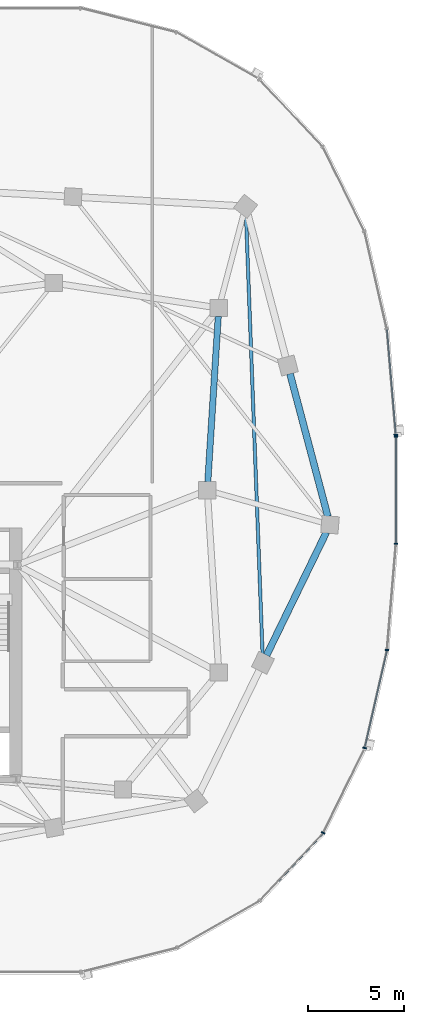
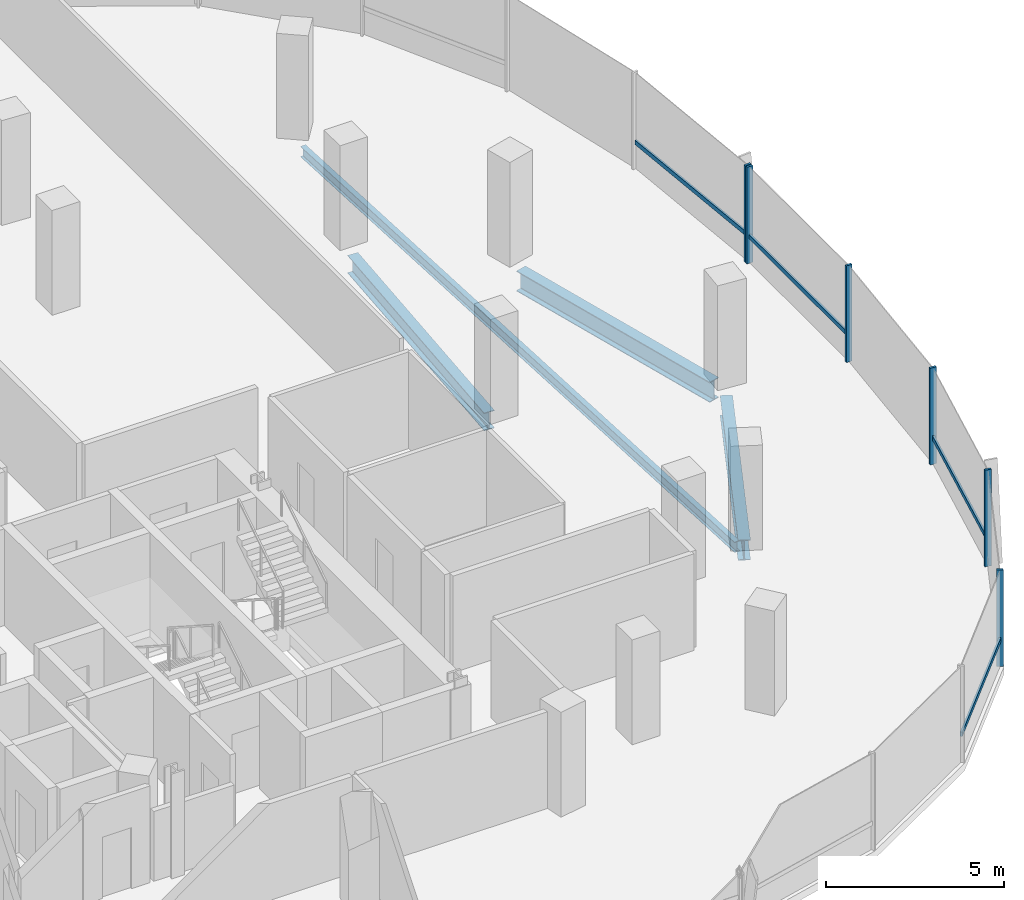
# One storey, part 10 of 24: 10 members, 4 beams, 2 elements without a shape of their own.
"""IFC4 building model written with IfcOpenShell, lengths in metres."""

from ifc_helpers import new_model, si_unit, direction, frame, origin, origin_2d, place, context, subcontext, project, spatial, rectangle, i_section, extrude, material, material_profile, profile_set, type_object, element, aggregate, save


model = new_model("IFC4")

# Units and contexts
model_context = context("Model", 3, precision=1e-05, world=origin(), true_north=direction((0.0, 1.0)))
body_context = subcontext(model_context, "Body", "Model", "MODEL_VIEW")
ifc_project = project(units=[si_unit("LENGTHUNIT", "METRE"), si_unit("AREAUNIT", "SQUARE_METRE"), si_unit("VOLUMEUNIT", "CUBIC_METRE"), si_unit("PLANEANGLEUNIT", "RADIAN"), si_unit("MASSUNIT", "GRAM", prefix="KILO"), si_unit("THERMODYNAMICTEMPERATUREUNIT", "KELVIN"), si_unit("POWERUNIT", "WATT")], contexts=[model_context])

# Site, building, storey
site_placement = place(None, origin())
site = spatial("IfcSite", under=ifc_project, at=site_placement, CompositionType="ELEMENT")
building_placement = place(site_placement, origin())
building = spatial("IfcBuilding", under=site, at=building_placement, Name="Cundina Bronze Exchange", CompositionType="ELEMENT")
storey_placement = place(building_placement, frame((0.0, 0.0, 231.39990234375)))
storey = spatial("IfcBuildingStorey", under=building, at=storey_placement, Name="L61", CompositionType="ELEMENT", Elevation=231.39990234375)

# Beams
ifc_material_1 = material(Name="Steel ASTM A992 Grade 50", Category="steel")
ifc_material_profile_1 = material_profile(ifc_material_1, i_section(OverallWidth=0.172119140625, OverallDepth=0.35791015625, WebThickness=0.0078125, FlangeThickness=0.01318359375, FilletRadius=0.010009765625, at=origin_2d()), Name="W14X38", Category="steel")
ifc_profile_set_1 = profile_set([ifc_material_profile_1], Name="Steel ASTM A992 Grade 50")
beam_type_1 = type_object("IfcBeamType", Name="BM-JST-W14", PredefinedType="JOIST", material=ifc_profile_set_1)
beam_1_placement = place(storey_placement, frame((44.08349609375, -8.562255859375, -0.43896484375), z_axis=(-0.037790216102, 0.999285694667, 0.0), x_axis=(-0.999285694667, -0.037790216102, 0.0)))
element("IfcBeam", 1, at=beam_1_placement, inside=storey, type_object=beam_type_1, Name="L61 Leg E Lobe Floor Joist 07-10", PredefinedType="JOIST", context=body_context, shape_type="SweptSolid", body=[
    extrude(i_section(OverallWidth=0.172119140625, OverallDepth=0.35791015625, WebThickness=0.0078125, FlangeThickness=0.01318359375, FilletRadius=0.010009765625, at=origin_2d()), origin(), (0.0, 0.0, 1.0), 22.94091796875),
])
ifc_material_profile_2 = material_profile(ifc_material_1, i_section(OverallWidth=0.324951171875, OverallDepth=0.615966796875, WebThickness=0.013916015625, FlangeThickness=0.021484375, FilletRadius=0.01611328125, at=origin_2d()), Name="W24X117", Category="steel")
ifc_profile_set_2 = profile_set([ifc_material_profile_2], Name="Steel ASTM A992 Grade 50")
beam_type_2 = type_object("IfcBeamType", Name="BM-RING-W24", PredefinedType="USERDEFINED", material=ifc_profile_set_2)
beam_2_placement = place(storey_placement, frame((41.2275390625, 0.43701171875, -0.56787109375), z_axis=(0.063046519736, 0.998010589297, 0.0), x_axis=(-0.998010589297, 0.063046519736, 0.0)))
element("IfcBeam", 2, at=beam_2_placement, inside=storey, type_object=beam_type_2, Name="L61 E Inner Structural Ring Girder 04", ObjectType="GIRDER", PredefinedType="USERDEFINED", context=body_context, shape_type="SweptSolid", body=[
    extrude(i_section(OverallWidth=0.324951171875, OverallDepth=0.615966796875, WebThickness=0.013916015625, FlangeThickness=0.021484375, FilletRadius=0.01611328125, at=origin_2d()), origin(), (0.0, 0.0, 1.0), 8.64306640625),
])
ifc_material_profile_3 = material_profile(ifc_material_1, i_section(OverallWidth=0.35498046875, OverallDepth=0.695068359375, WebThickness=0.015380859375, FlangeThickness=0.02490234375, FilletRadius=0.01806640625, at=origin_2d()), Name="W27X146", Category="steel")
ifc_profile_set_3 = profile_set([ifc_material_profile_3], Name="Steel ASTM A992 Grade 50")
beam_type_3 = type_object("IfcBeamType", Name="BM-RING-W27", PredefinedType="USERDEFINED", material=ifc_profile_set_3)
beam_3_placement = place(storey_placement, frame((44.29150390625, -8.606201171875, -0.607421875), z_axis=(0.437173087764, 0.89937739094, 0.0), x_axis=(-0.89937739094, 0.437173087764, 0.0)))
element("IfcBeam", 3, at=beam_3_placement, inside=storey, type_object=beam_type_3, Name="L61 E Perimeter Ring Girder 07", ObjectType="GIRDER", PredefinedType="USERDEFINED", context=body_context, shape_type="SweptSolid", body=[
    extrude(i_section(OverallWidth=0.35498046875, OverallDepth=0.695068359375, WebThickness=0.015380859375, FlangeThickness=0.02490234375, FilletRadius=0.01806640625, at=origin_2d()), origin(), (0.0, 0.0, 1.0), 7.1298828125),
])
beam_4_placement = place(storey_placement, frame((47.48779296875, -1.376708984375, -0.607421875), z_axis=(-0.256211934474, 0.966620631185, 0.0), x_axis=(-0.966620631185, -0.256211934474, 0.0)))
element("IfcBeam", 4, at=beam_4_placement, inside=storey, type_object=beam_type_3, Name="L61 E Perimeter Ring Girder 08", ObjectType="GIRDER", PredefinedType="USERDEFINED", context=body_context, shape_type="SweptSolid", body=[
    extrude(i_section(OverallWidth=0.35498046875, OverallDepth=0.695068359375, WebThickness=0.015380859375, FlangeThickness=0.02490234375, FilletRadius=0.01806640625, at=origin_2d()), origin(), (0.0, 0.0, 1.0), 7.710693359375),
])

# Curtain wall, member
ifc_material_2 = material(Name="Anodised Bronze Aluminium 6063-T6", Category="aluminium")
curtain_wall_type = type_object("IfcCurtainWallType", Name="CWS-UPP-OFF", PredefinedType="NOTDEFINED", material=ifc_material_2)
curtain_wall_1_placement = place(storey_placement, origin())
curtain_wall_1 = element("IfcCurtainWall", 5, at=curtain_wall_1_placement, inside=storey, type_object=curtain_wall_type, Name="L61 CW-05 Curtain Wall Run CWR-L61-E1", PredefinedType="NOTDEFINED")
ifc_material_profile_4 = material_profile(ifc_material_2, rectangle(XDim=0.070068359375, YDim=0.18994140625, at=origin_2d()), Name="AL70X190", Category="aluminium")
ifc_profile_set_4 = profile_set([ifc_material_profile_4], Name="Anodised Bronze Aluminium 6063-T6")
member_type_1 = type_object("IfcMemberType", Name="CWM-MUL-190", PredefinedType="MULLION", material=ifc_profile_set_4)
member_1_placement = place(storey_placement, frame((51.0302734375, 2.88330078125, 0.0), z_axis=(0.0, 0.0, 1.0), x_axis=(-0.083677843332, 0.99649285925, 0.0)))
member_1 = element("IfcMember", 6, at=member_1_placement, type_object=member_type_1, Name="CW-05 Mullion 1", PredefinedType="MULLION", context=body_context, shape_type="SweptSolid", body=[
    extrude(rectangle(XDim=0.070068359375, YDim=0.18994140625, at=origin_2d()), origin(), (0.0, 0.0, 1.0), 3.320068359375),
])

# Curtain wall, members
curtain_wall_2_placement = place(storey_placement, origin())
curtain_wall_2 = element("IfcCurtainWall", 7, at=curtain_wall_2_placement, inside=storey, type_object=curtain_wall_type, Name="L61 CW-05 Curtain Wall Run CWR-L61-E4", PredefinedType="NOTDEFINED")
member_2_placement = place(storey_placement, frame((47.245361328125, -17.866455078125, 0.0), z_axis=(0.0, 0.0, 1.0), x_axis=(0.440566004113, 0.897720221461, 0.0)))
member_2 = element("IfcMember", 8, at=member_2_placement, type_object=member_type_1, Name="CW-05 Mullion 4", PredefinedType="MULLION", context=body_context, shape_type="SweptSolid", body=[
    extrude(rectangle(XDim=0.070068359375, YDim=0.18994140625, at=origin_2d()), origin(), (0.0, 0.0, 1.0), 3.320068359375),
])
member_3_placement = place(storey_placement, frame((49.40771484375, -13.440673828125, 0.0), z_axis=(0.0, 0.0, 1.0), x_axis=(0.223250116011, 0.974761194191, 0.0)))
member_3 = element("IfcMember", 9, at=member_3_placement, type_object=member_type_1, Name="CW-05 Mullion 5", PredefinedType="MULLION", context=body_context, shape_type="SweptSolid", body=[
    extrude(rectangle(XDim=0.070068359375, YDim=0.18994140625, at=origin_2d()), origin(), (0.0, 0.0, 1.0), 3.320068359375),
])
member_4_placement = place(storey_placement, frame((50.572509765625, -8.33056640625, 0.0), z_axis=(0.0, 0.0, 1.0), x_axis=(0.083677843332, 0.99649285925, 0.0)))
member_4 = element("IfcMember", 10, at=member_4_placement, type_object=member_type_1, Name="CW-05 Mullion 6", PredefinedType="MULLION", context=body_context, shape_type="SweptSolid", body=[
    extrude(rectangle(XDim=0.070068359375, YDim=0.18994140625, at=origin_2d()), origin(), (0.0, 0.0, 1.0), 3.320068359375),
])
member_5_placement = place(storey_placement, frame((51.033935546875, -2.794921875, 0.0), z_axis=(0.0, 0.0, 1.0), x_axis=(0.0, 1.0, 0.0)))
member_5 = element("IfcMember", 11, at=member_5_placement, type_object=member_type_1, Name="CW-05 Mullion 7", PredefinedType="MULLION", context=body_context, shape_type="SweptSolid", body=[
    extrude(rectangle(XDim=0.070068359375, YDim=0.18994140625, at=origin_2d()), origin(), (0.0, 0.0, 1.0), 3.320068359375),
])
member_6_placement = place(storey_placement, frame((51.033935546875, 2.794921875, 0.0), z_axis=(0.0, 0.0, 1.0), x_axis=(0.0, 1.0, 0.0)))
member_6 = element("IfcMember", 12, at=member_6_placement, type_object=member_type_1, Name="CW-05 End Mullion", PredefinedType="MULLION", context=body_context, shape_type="SweptSolid", body=[
    extrude(rectangle(XDim=0.070068359375, YDim=0.18994140625, at=origin_2d()), origin(), (0.0, 0.0, 1.0), 3.320068359375),
])

# Member
ifc_material_profile_5 = material_profile(ifc_material_2, rectangle(XDim=0.06494140625, YDim=0.14990234375, at=origin_2d()), Name="AL65X150", Category="aluminium")
ifc_profile_set_5 = profile_set([ifc_material_profile_5], Name="Anodised Bronze Aluminium 6063-T6")
member_type_2 = type_object("IfcMemberType", Name="CWM-TRN-150", PredefinedType="USERDEFINED", material=ifc_profile_set_5)
member_7_placement = place(storey_placement, frame((51.027099609375, 2.921630859375, 0.920166015625), z_axis=(-0.083740331158, 0.996487610027, 0.0), x_axis=(-0.996487610027, -0.083740331158, 0.0)))
member_7 = element("IfcMember", 13, at=member_7_placement, type_object=member_type_2, Name="CW-05 Spandrel Transom 1", ObjectType="TRANSOM", PredefinedType="USERDEFINED", context=body_context, shape_type="SweptSolid", body=[
    extrude(rectangle(XDim=0.06494140625, YDim=0.14990234375, at=origin_2d()), origin(), (0.0, 0.0, 1.0), 5.466552734375),
])

aggregate(curtain_wall_1, [member_1, member_7])

member_8_placement = place(storey_placement, frame((43.97509765625, -21.364501953125, 0.920166015625), z_axis=(0.684336416554, 0.729166420633, 0.0), x_axis=(-0.729166420633, 0.684336416554, 0.0)))
member_8 = element("IfcMember", 14, at=member_8_placement, type_object=member_type_2, Name="CW-05 Spandrel Transom 3", ObjectType="TRANSOM", PredefinedType="USERDEFINED", context=body_context, shape_type="SweptSolid", body=[
    extrude(rectangle(XDim=0.06494140625, YDim=0.14990234375, at=origin_2d()), origin(), (0.0, 0.0, 1.0), 4.76513671875),
])

member_9_placement = place(storey_placement, frame((49.41650390625, -13.403076171875, 0.920166015625), z_axis=(0.22328343579, 0.974753562344, 0.0), x_axis=(-0.974753562344, 0.22328343579, 0.0)))
member_9 = element("IfcMember", 15, at=member_9_placement, type_object=member_type_2, Name="CW-05 Spandrel Transom 5", ObjectType="TRANSOM", PredefinedType="USERDEFINED", context=body_context, shape_type="SweptSolid", body=[
    extrude(rectangle(XDim=0.06494140625, YDim=0.14990234375, at=origin_2d()), origin(), (0.0, 0.0, 1.0), 5.159912109375),
])

member_10_placement = place(storey_placement, frame((51.033935546875, -2.756591796875, 0.920166015625), z_axis=(0.0, 1.0, 0.0), x_axis=(-1.0, 0.0, 0.0)))
member_10 = element("IfcMember", 16, at=member_10_placement, type_object=member_type_2, Name="CW-05 Spandrel Transom 7", ObjectType="TRANSOM", PredefinedType="USERDEFINED", context=body_context, shape_type="SweptSolid", body=[
    extrude(rectangle(XDim=0.06494140625, YDim=0.14990234375, at=origin_2d()), origin(), (0.0, 0.0, 1.0), 5.51318359375),
])

aggregate(curtain_wall_2, [member_8, member_2, member_3, member_9, member_4, member_5, member_6, member_10])

save(model, "model.ifc")
